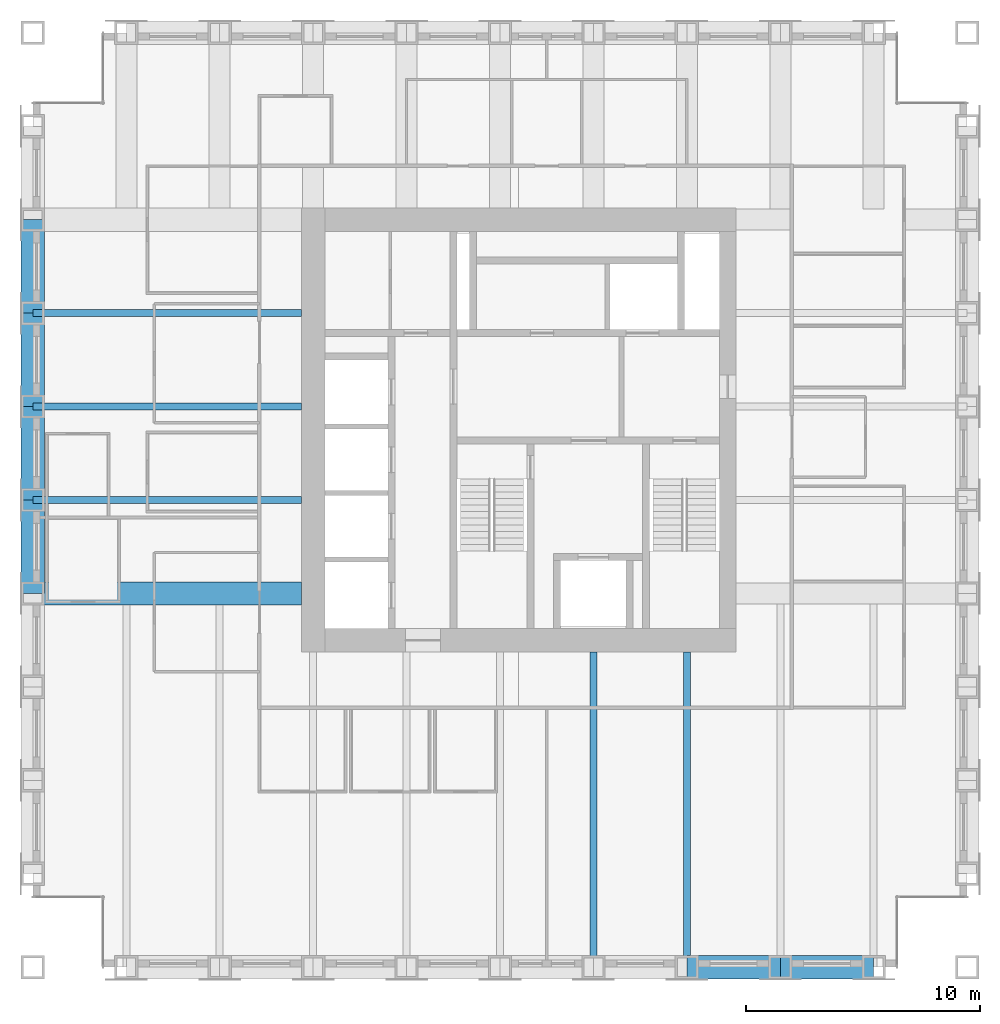
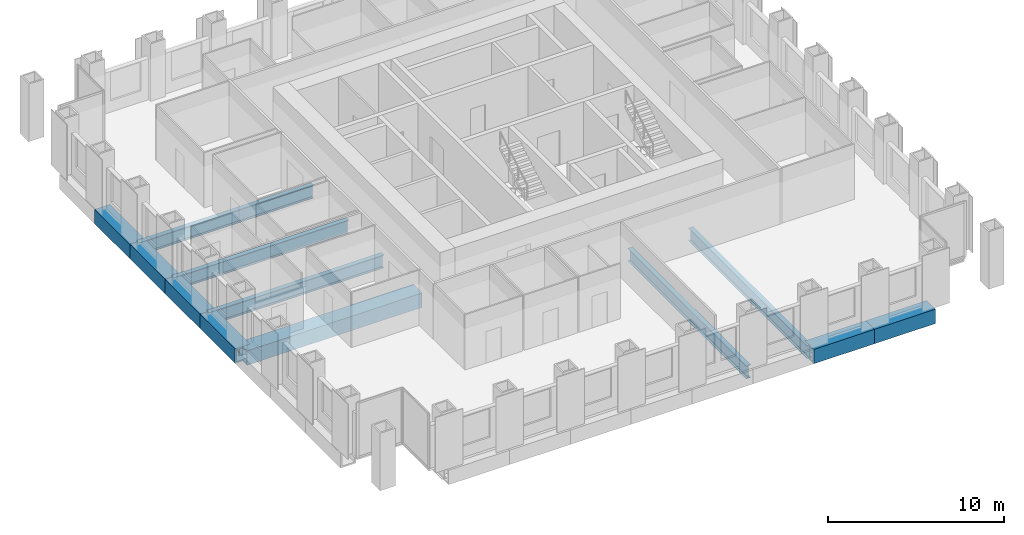
# One storey, part 3 of 13: 12 beams.
"""IFC4 building model written with IfcOpenShell, lengths in metres."""

from ifc_helpers import new_model, si_unit, direction, frame, origin, origin_2d, place, context, subcontext, project, spatial, hollow_rectangle, i_section, extrude, material, material_profile, profile_set, type_object, element, save


model = new_model("IFC4")

# Units and contexts
model_context = context("Model", 3, precision=1e-05, world=origin(), true_north=direction((0.0, 1.0)))
body_context = subcontext(model_context, "Body", "Model", "MODEL_VIEW")
ifc_project = project(units=[si_unit("LENGTHUNIT", "METRE"), si_unit("AREAUNIT", "SQUARE_METRE"), si_unit("VOLUMEUNIT", "CUBIC_METRE"), si_unit("PLANEANGLEUNIT", "RADIAN"), si_unit("MASSUNIT", "GRAM", prefix="KILO")], contexts=[model_context])

# Site, building, storey
site_placement = place(None, origin())
site = spatial("IfcSite", under=ifc_project, at=site_placement, CompositionType="ELEMENT")
building_placement = place(site_placement, origin())
building = spatial("IfcBuilding", under=site, at=building_placement, Name="Rimbunsela Tower", CompositionType="ELEMENT")
storey_placement = place(building_placement, frame((0.0, 0.0, 286.199951171875)))
storey = spatial("IfcBuildingStorey", under=building, at=storey_placement, Name="L69", CompositionType="ELEMENT", Elevation=286.199951171875)

# Beams
ifc_material_1 = material(Name="Steel BJ 55 (fy 410 MPa)", Category="steel")
ifc_material_profile_1 = material_profile(ifc_material_1, hollow_rectangle(XDim=1.0, YDim=1.0, WallThickness=0.10009765625, at=origin_2d()), Name="BOX 1000x1000x100")
ifc_profile_set_1 = profile_set([ifc_material_profile_1], Name="Steel BJ 55 (fy 410 MPa)")
beam_type_1 = type_object("IfcBeamType", Name="Beam BOX 1000x1000x100", PredefinedType="BEAM", material=ifc_profile_set_1)
beam_1_placement = place(storey_placement, frame((6.0, 20.0, -0.64990234375), z_axis=(0.0, 1.0, 0.0), x_axis=(-1.0, 0.0, 0.0)))
element("IfcBeam", 1, at=beam_1_placement, inside=storey, type_object=beam_type_1, Name="Beam B3 L69", PredefinedType="BEAM", context=body_context, shape_type="SweptSolid", body=[
    extrude(hollow_rectangle(XDim=1.0, YDim=1.0, WallThickness=0.10009765625, at=origin_2d()), origin(), (0.0, 0.0, 1.0), 4.0),
])
beam_2_placement = place(storey_placement, frame((6.0, 20.0, -0.64990234375), z_axis=(1.0, 0.0, 0.0), x_axis=(0.0, 1.0, 0.0)))
element("IfcBeam", 2, at=beam_2_placement, inside=storey, type_object=beam_type_1, Name="Beam B3 L69", PredefinedType="BEAM", context=body_context, shape_type="SweptSolid", body=[
    extrude(hollow_rectangle(XDim=1.0, YDim=1.0, WallThickness=0.10009765625, at=origin_2d()), origin(), (0.0, 0.0, 1.0), 11.5),
])
for number, where, z_axis, x_axis, name in (
    (3, (6.0, 24.0, -0.64990234375), (0.0, 1.0, 0.0), (-1.0, 0.0, 0.0), "Beam B3 L69"),
    (4, (6.0, 28.0, -0.64990234375), (0.0, 1.0, 0.0), (-1.0, 0.0, 0.0), "Beam B3 L69"),
    (5, (6.0, 32.0, -0.64990234375), (0.0, 1.0, 0.0), (-1.0, 0.0, 0.0), "Beam B3 L69"),
    (6, (34.0, 4.0, -0.64990234375), (1.0, 0.0, 0.0), (0.0, 1.0, 0.0), "Beam B3 L69"),
    (7, (38.0, 4.0, -0.64990234375), (1.0, 0.0, 0.0), (0.0, 1.0, 0.0), "Beam B3 L69"),
):
    element("IfcBeam", number, at=place(storey_placement, frame(where, z_axis=z_axis, x_axis=x_axis)), inside=storey, type_object=beam_type_1, Name=name, PredefinedType="BEAM", context=body_context, shape_type="SweptSolid", body=[
        extrude(hollow_rectangle(XDim=1.0, YDim=1.0, WallThickness=0.10009765625, at=origin_2d()), origin(), (0.0, 0.0, 1.0), 4.0),
    ])
ifc_material_2 = material(Name="Steel BJ 55 (fy 410 MPa)", Category="steel")
ifc_material_profile_2 = material_profile(ifc_material_2, i_section(OverallWidth=0.300048828125, OverallDepth=0.89990234375, WebThickness=0.01611328125, FlangeThickness=0.028076171875, FilletRadius=0.028076171875, at=origin_2d()), Name="H 900x300x16x28")
ifc_profile_set_2 = profile_set([ifc_material_profile_2], Name="Steel BJ 55 (fy 410 MPa)")
beam_type_2 = type_object("IfcBeamType", Name="Beam H 900x300x16x28", PredefinedType="BEAM", material=ifc_profile_set_2)
for number, where, z_axis, x_axis, name in (
    (8, (6.0, 24.0, -0.599853515625), (1.0, 0.0, 0.0), (0.0, 1.0, 0.0), "Beam B2 L69"),
    (9, (6.0, 28.0, -0.599853515625), (1.0, 0.0, 0.0), (0.0, 1.0, 0.0), "Beam B2 L69"),
    (10, (6.0, 32.0, -0.599853515625), (1.0, 0.0, 0.0), (0.0, 1.0, 0.0), "Beam B2 L69"),
):
    element("IfcBeam", number, at=place(storey_placement, frame(where, z_axis=z_axis, x_axis=x_axis)), inside=storey, type_object=beam_type_2, Name=name, PredefinedType="BEAM", context=body_context, shape_type="SweptSolid", body=[
        extrude(i_section(OverallWidth=0.300048828125, OverallDepth=0.89990234375, WebThickness=0.01611328125, FlangeThickness=0.028076171875, FilletRadius=0.028076171875, at=origin_2d()), origin(), (0.0, 0.0, 1.0), 11.5),
    ])
for number, where, z_axis, x_axis, name in (
    (11, (30.0, 4.0, -0.599853515625), (0.0, 1.0, 0.0), (-1.0, 0.0, 0.0), "Beam B2 L69"),
    (12, (34.0, 4.0, -0.599853515625), (0.0, 1.0, 0.0), (-1.0, 0.0, 0.0), "Beam B2 L69"),
):
    element("IfcBeam", number, at=place(storey_placement, frame(where, z_axis=z_axis, x_axis=x_axis)), inside=storey, type_object=beam_type_2, Name=name, PredefinedType="BEAM", context=body_context, shape_type="SweptSolid", body=[
        extrude(i_section(OverallWidth=0.300048828125, OverallDepth=0.89990234375, WebThickness=0.01611328125, FlangeThickness=0.028076171875, FilletRadius=0.028076171875, at=origin_2d()), origin(), (0.0, 0.0, 1.0), 13.5),
    ])

save(model, "model.ifc")
